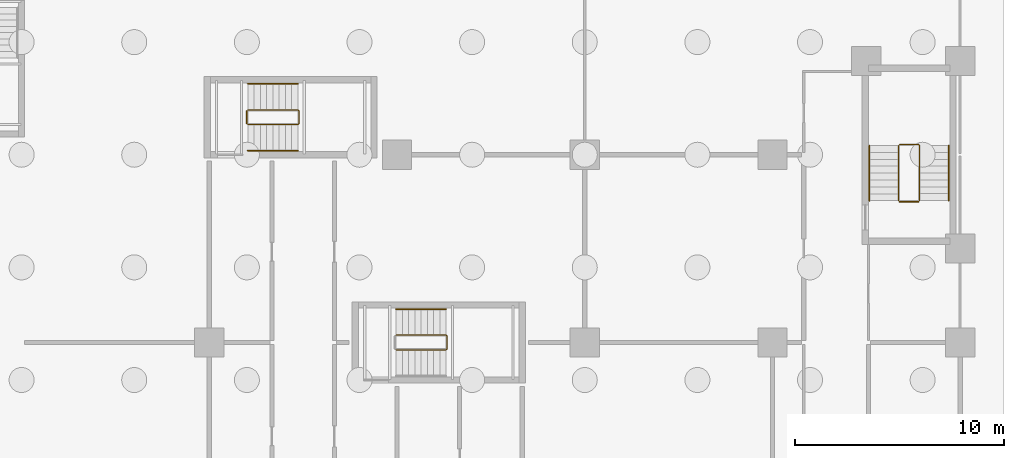
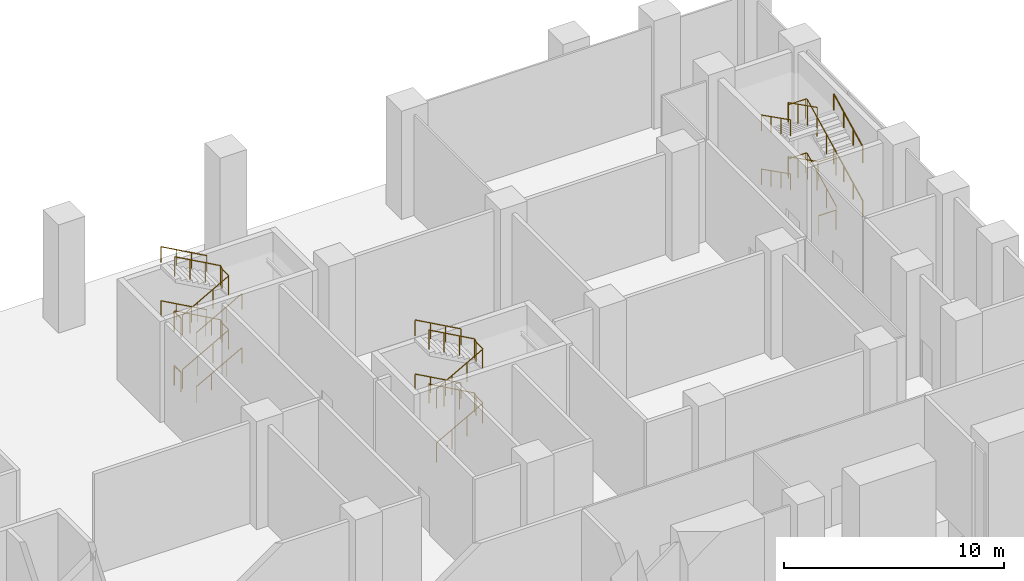
# One storey, part 12 of 12: 20 railings.
"""IFC4 building model written with IfcOpenShell, lengths in metres."""

import ifcopenshell
import ifcopenshell.guid

model = None  # the IFC model being written
_history = None  # IfcOwnerHistory: only IFC2X3 demands one
_inside = {}  # id of a spatial element -> (the spatial element, [elements in it])
_under = {}  # id of a project, library or spatial element -> (it, [spatial elements below it])
_declared = {}  # id of a project -> (the project, [libraries it declares])
_typed = {}  # id of a type object -> (the type object, [elements of that type])
_made_of = {}  # id of a material, layer set ... -> (it, [elements and type objects made of it])


def new_model(schema):
    """Start an empty IFC model of exactly this schema.

    Asked for "IFC4X3", IfcOpenShell would pick the latest addendum, in which some entities
    have other attributes; the version numbers below select the first issue.
    IFC2X3 requires an IfcOwnerHistory on every rooted entity: one is made here for all.
    """
    global model, _history
    if schema == "IFC4X3":
        model = ifcopenshell.file(schema_version=(4, 3, 0, 0))
    else:
        model = ifcopenshell.file(schema=schema)
    _inside.clear()
    _under.clear()
    _declared.clear()
    _typed.clear()
    _made_of.clear()
    _history = None
    if model.schema == "IFC2X3":
        org = make("IfcOrganization", Name="unknown")
        user = make(
            "IfcPersonAndOrganization",
            ThePerson=make("IfcPerson", FamilyName="unknown"),
            TheOrganization=org,
        )
        app = make(
            "IfcApplication",
            ApplicationDeveloper=org,
            Version="unknown",
            ApplicationFullName="unknown",
            ApplicationIdentifier="unknown",
        )
        _history = make(
            "IfcOwnerHistory",
            OwningUser=user,
            OwningApplication=app,
            ChangeAction="ADDED",
            CreationDate=0,
        )
    return model


def make(cls, **values):
    """One entity of the class cls with the attributes given. An attribute that is None is left unset."""
    return model.create_entity(
        cls, **{name: value for name, value in values.items() if value is not None}
    )


def rooted(cls, **values):
    """An entity with a GlobalId (a new one), such as an element, a storey or a relation."""
    return make(cls, GlobalId=ifcopenshell.guid.new(), OwnerHistory=_history, **values)


def si_unit(unit_type, name, prefix=None):
    """IfcSIUnit, for example si_unit("LENGTHUNIT", "METRE", prefix="MILLI")."""
    return make("IfcSIUnit", UnitType=unit_type, Prefix=prefix, Name=name)


def assignment(units):
    """IfcUnitAssignment: the units of a project."""
    return None if units is None else make("IfcUnitAssignment", Units=units)


def point(xyz):
    """IfcCartesianPoint."""
    return None if xyz is None else make("IfcCartesianPoint", Coordinates=xyz)


def direction(xyz):
    """IfcDirection."""
    return None if xyz is None else make("IfcDirection", DirectionRatios=xyz)


def frame(location, z_axis=None, x_axis=None):
    """IfcAxis2Placement3D, a coordinate frame: its origin and axes. An axis left out is left unset."""
    return make(
        "IfcAxis2Placement3D",
        Location=point(location),
        Axis=direction(z_axis),
        RefDirection=direction(x_axis),
    )


def frame_2d(location, x_axis=None):
    """IfcAxis2Placement2D, a coordinate frame in the plane: its origin and x axis."""
    return make(
        "IfcAxis2Placement2D", Location=point(location), RefDirection=direction(x_axis)
    )


def origin():
    """The frame at (0, 0, 0) with its axes left unset."""
    return frame((0.0, 0.0, 0.0))


def origin_2d():
    """The frame at (0, 0) in the plane with its x axis left unset."""
    return frame_2d((0.0, 0.0))


def place(relative_to, where):
    """IfcLocalPlacement: puts the frame where relative to a parent placement (None: the world)."""
    return make(
        "IfcLocalPlacement", PlacementRelTo=relative_to, RelativePlacement=where
    )


def context(
    kind, dimensions, precision=None, world=None, true_north=None, identifier=None
):
    """IfcGeometricRepresentationContext, for example the 3D "Model" context."""
    return make(
        "IfcGeometricRepresentationContext",
        ContextIdentifier=identifier,
        ContextType=kind,
        CoordinateSpaceDimension=dimensions,
        Precision=precision,
        WorldCoordinateSystem=world,
        TrueNorth=true_north,
    )


def subcontext(parent, identifier, kind, view, scale=None):
    """IfcGeometricRepresentationSubContext, for example "Body" below "Model"."""
    return make(
        "IfcGeometricRepresentationSubContext",
        ContextIdentifier=identifier,
        ContextType=kind,
        ParentContext=parent,
        TargetScale=scale,
        TargetView=view,
    )


def project(units=None, contexts=None):
    """IfcProject with its units and contexts."""
    return rooted(
        "IfcProject",
        Name="project",
        RepresentationContexts=contexts,
        UnitsInContext=assignment(units),
    )


def spatial(cls, under=None, at=None, **own):
    """A site, building, storey or space (cls), placed at a placement, below another one or the project."""
    s = rooted(cls, ObjectPlacement=at, **own)
    if under is not None:
        _under.setdefault(under.id(), (under, []))[1].append(s)
    return s


def profile(cls, at=None, kind="AREA", **sizes):
    """A parametric profile (cls). Its sizes go by their IFC names, for example OverallWidth=200.0."""
    return make(cls, ProfileType=kind, Position=at, **sizes)


def circle(**sizes):
    """IfcCircleProfileDef."""
    return profile("IfcCircleProfileDef", **sizes)


def extrude(swept, where, along, depth):
    """IfcExtrudedAreaSolid: the profile swept, set in the frame where, extruded along a direction by depth."""
    return make(
        "IfcExtrudedAreaSolid",
        SweptArea=swept,
        Position=where,
        ExtrudedDirection=direction(along),
        Depth=depth,
    )


def shape(context_of_items, identifier, shape_type, items):
    """IfcShapeRepresentation: the items that make up one representation, for example the "Body"."""
    return make(
        "IfcShapeRepresentation",
        ContextOfItems=context_of_items,
        RepresentationIdentifier=identifier,
        RepresentationType=shape_type,
        Items=items,
    )


def material(Name=None, Category=None):
    """IfcMaterial."""
    return make("IfcMaterial", Name=Name, Category=Category)


def made_of(thing, what):
    """Note that an element or type object is made of a material, layer set ...; save() writes the relation."""
    if what is not None:
        _made_of.setdefault(what.id(), (what, []))[1].append(thing)
    return thing


def type_object(cls, material=None, **own):
    """A type object (cls), such as IfcWallType, which elements share."""
    return made_of(rooted(cls, **own), material)


def element(
    cls,
    number,
    at=None,
    inside=None,
    cuts=None,
    type_object=None,
    material=None,
    context=None,
    identifier="Body",
    shape_type=None,
    held_by="IfcProductDefinitionShape",
    body=None,
    shapes=None,
    **own,
):
    """One element of the class cls, such as IfcWall. Its Tag is "e" and its number.

    at: its placement. inside: the storey or other place that contains it. cuts: it is an
    opening in that element (IfcRelVoidsElement). A single representation is given by context,
    identifier, shape_type and body (its items); several are given by shapes. held_by: the class
    of the entity that holds the representations. save() writes the other relations.
    """
    e = rooted(cls, Tag="e%d" % number, ObjectPlacement=at, **own)
    if body is not None:
        shapes = [shape(context, identifier, shape_type, body)]
    if shapes is not None:
        e.Representation = make(held_by, Representations=shapes)
    if inside is not None:
        _inside.setdefault(inside.id(), (inside, []))[1].append(e)
    if cuts is not None:
        rooted(
            "IfcRelVoidsElement", RelatingBuildingElement=cuts, RelatedOpeningElement=e
        )
    if type_object is not None:
        _typed.setdefault(type_object.id(), (type_object, []))[1].append(e)
    return made_of(e, material)


def aggregate(whole, parts):
    """IfcRelAggregates: a whole, such as a stair, and the parts it consists of."""
    return rooted("IfcRelAggregates", RelatingObject=whole, RelatedObjects=parts)


def save(model, path):
    """Write the relations noted so far, then the file.

    IfcRelAggregates (storeys below a building ...), IfcRelContainedInSpatialStructure (elements
    in a storey), IfcRelDefinesByType, IfcRelAssociatesMaterial and IfcRelDeclares: one each for
    every whole, place, type object, material and project.
    """
    for whole, parts in _under.values():
        aggregate(whole, parts)
    for where, things in _inside.values():
        rooted(
            "IfcRelContainedInSpatialStructure",
            RelatedElements=things,
            RelatingStructure=where,
        )
    for kind, things in _typed.values():
        rooted("IfcRelDefinesByType", RelatedObjects=things, RelatingType=kind)
    for what, things in _made_of.values():
        rooted("IfcRelAssociatesMaterial", RelatedObjects=things, RelatingMaterial=what)
    for by, libraries in _declared.values():
        rooted("IfcRelDeclares", RelatingContext=by, RelatedDefinitions=libraries)
    model.write(path)


model = new_model("IFC4")

# Units and contexts
model_context = context("Model", 3, precision=1e-05, world=origin(), true_north=direction((0.0, 1.0)))
body_context = subcontext(model_context, "Body", "Model", "MODEL_VIEW")
ifc_project = project(units=[si_unit("LENGTHUNIT", "METRE"), si_unit("AREAUNIT", "SQUARE_METRE"), si_unit("VOLUMEUNIT", "CUBIC_METRE"), si_unit("PLANEANGLEUNIT", "RADIAN"), si_unit("MASSUNIT", "GRAM", prefix="KILO")], contexts=[model_context])

# Site, building, storey
site_placement = place(None, origin())
site = spatial("IfcSite", under=ifc_project, at=site_placement, CompositionType="ELEMENT")
building_placement = place(site_placement, origin())
building = spatial("IfcBuilding", under=site, at=building_placement, Name="Brondeck Convention Tower", CompositionType="ELEMENT")
storey_placement = place(building_placement, frame((0.0, 0.0, -6.0)))
storey = spatial("IfcBuildingStorey", under=building, at=storey_placement, Name="B1", CompositionType="ELEMENT", Elevation=-6.0)

# Railings
ifc_material = material(Name="Steel S355", Category="steel")
railing_type_1 = type_object("IfcRailingType", Name="Stair guard 1100", PredefinedType="GUARDRAIL", material=ifc_material)
railing_1_placement = place(storey_placement, frame((37.85009765625, 55.449951171875, 0.166748046875)))
element("IfcRailing", 1, at=railing_1_placement, inside=storey, type_object=railing_type_1, Name="B1 ST-AE stair guard 1", PredefinedType="GUARDRAIL", context=body_context, shape_type="SweptSolid", body=[
    extrude(circle(Radius=0.02392578125, at=origin_2d()), frame((0.0, 0.0, 1.076171875), z_axis=(0.874161470802, 0.0, 0.485635380677), x_axis=(0.0, 1.0, 0.0)), (0.0, 0.0, 1.0), 2.745361328125),
    extrude(circle(Radius=0.02392578125, at=origin_2d()), frame((2.39990234375, 0.0, 2.4091796875), z_axis=(0.707106781187, 0.707106781187, 0.0), x_axis=(-0.707106781187, 0.707106781187, 0.0)), (0.0, 0.0, 1.0), 0.07080078125),
    extrude(circle(Radius=0.02392578125, at=origin_2d()), frame((2.449951171875, 0.050048828125, 2.4091796875), z_axis=(0.0, 1.0, 0.0), x_axis=(-1.0, 0.0, 0.0)), (0.0, 0.0, 1.0), 0.60009765625),
    extrude(circle(Radius=0.02392578125, at=origin_2d()), frame((2.449951171875, 0.650146484375, 2.4091796875), z_axis=(-0.276389281352, 0.275041040955, 0.920848191041), x_axis=(-0.705375805398, -0.708833529934, 0.0)), (0.0, 0.0, 1.0), 0.18115234375),
    extrude(circle(Radius=0.02392578125, at=origin_2d()), frame((2.39990234375, 0.699951171875, 2.576171875), z_axis=(-0.874161470802, 0.0, 0.485635380677), x_axis=(0.0, -1.0, 0.0)), (0.0, 0.0, 1.0), 2.745361328125),
    extrude(circle(Radius=0.02099609375, at=origin_2d()), origin(), (0.0, 0.0, 1.0), 1.052001953125),
    extrude(circle(Radius=0.02099609375, at=origin_2d()), frame((0.800048828125, 0.0, 0.4443359375)), (0.0, 0.0, 1.0), 1.052001953125),
    extrude(circle(Radius=0.02099609375, at=origin_2d()), frame((1.599853515625, 0.0, 0.888916015625)), (0.0, 0.0, 1.0), 1.052001953125),
    extrude(circle(Radius=0.02099609375, at=origin_2d()), frame((2.39990234375, 0.0, 1.333251953125)), (0.0, 0.0, 1.0), 1.052001953125),
    extrude(circle(Radius=0.02099609375, at=origin_2d()), frame((2.449951171875, 0.050048828125, 1.333251953125)), (0.0, 0.0, 1.0), 1.052001953125),
    extrude(circle(Radius=0.02099609375, at=origin_2d()), frame((2.449951171875, 0.650146484375, 1.333251953125)), (0.0, 0.0, 1.0), 1.052001953125),
    extrude(circle(Radius=0.02099609375, at=origin_2d()), frame((2.39990234375, 0.699951171875, 1.5)), (0.0, 0.0, 1.0), 1.052001953125),
    extrude(circle(Radius=0.02099609375, at=origin_2d()), frame((1.599853515625, 0.699951171875, 1.9443359375)), (0.0, 0.0, 1.0), 1.052001953125),
    extrude(circle(Radius=0.02099609375, at=origin_2d()), frame((0.800048828125, 0.699951171875, 2.388916015625)), (0.0, 0.0, 1.0), 1.052001953125),
    extrude(circle(Radius=0.02099609375, at=origin_2d()), frame((0.0, 0.699951171875, 2.833251953125)), (0.0, 0.0, 1.0), 1.052001953125),
])
railing_2_placement = place(storey_placement, frame((37.800048828125, 55.5, 3.0)))
element("IfcRailing", 2, at=railing_2_placement, inside=storey, type_object=railing_type_1, Name="B1 ST-AE stair guard 2", PredefinedType="GUARDRAIL", context=body_context, shape_type="SweptSolid", body=[
    extrude(circle(Radius=0.02392578125, at=origin_2d()), frame((0.0, 0.0, 1.076171875), z_axis=(0.0, 1.0, 0.0), x_axis=(-1.0, 0.0, 0.0)), (0.0, 0.0, 1.0), 0.60009765625),
    extrude(circle(Radius=0.02099609375, at=origin_2d()), origin(), (0.0, 0.0, 1.0), 1.052001953125),
    extrude(circle(Radius=0.02099609375, at=origin_2d()), frame((0.0, 0.60009765625, 0.0)), (0.0, 0.0, 1.0), 1.052001953125),
])
railing_3_placement = place(storey_placement, frame((37.85009765625, 55.449951171875, 3.166748046875)))
element("IfcRailing", 3, at=railing_3_placement, inside=storey, type_object=railing_type_1, Name="B1 ST-AE stair guard 3", PredefinedType="GUARDRAIL", context=body_context, shape_type="SweptSolid", body=[
    extrude(circle(Radius=0.02392578125, at=origin_2d()), frame((0.0, 0.0, 1.076171875), z_axis=(0.874161470802, 0.0, 0.485635380677), x_axis=(0.0, 1.0, 0.0)), (0.0, 0.0, 1.0), 2.745361328125),
    extrude(circle(Radius=0.02392578125, at=origin_2d()), frame((2.39990234375, 0.0, 2.4091796875), z_axis=(0.707106781187, 0.707106781187, 0.0), x_axis=(-0.707106781187, 0.707106781187, 0.0)), (0.0, 0.0, 1.0), 0.07080078125),
    extrude(circle(Radius=0.02392578125, at=origin_2d()), frame((2.449951171875, 0.050048828125, 2.4091796875), z_axis=(0.0, 1.0, 0.0), x_axis=(-1.0, 0.0, 0.0)), (0.0, 0.0, 1.0), 0.60009765625),
    extrude(circle(Radius=0.02392578125, at=origin_2d()), frame((2.449951171875, 0.650146484375, 2.4091796875), z_axis=(-0.276389281352, 0.275041040955, 0.920848191041), x_axis=(-0.705375805398, -0.708833529934, 0.0)), (0.0, 0.0, 1.0), 0.18115234375),
    extrude(circle(Radius=0.02392578125, at=origin_2d()), frame((2.39990234375, 0.699951171875, 2.576171875), z_axis=(-0.874161470802, 0.0, 0.485635380677), x_axis=(0.0, -1.0, 0.0)), (0.0, 0.0, 1.0), 2.745361328125),
    extrude(circle(Radius=0.02099609375, at=origin_2d()), origin(), (0.0, 0.0, 1.0), 1.052001953125),
    extrude(circle(Radius=0.02099609375, at=origin_2d()), frame((0.800048828125, 0.0, 0.4443359375)), (0.0, 0.0, 1.0), 1.052001953125),
    extrude(circle(Radius=0.02099609375, at=origin_2d()), frame((1.599853515625, 0.0, 0.888916015625)), (0.0, 0.0, 1.0), 1.052001953125),
    extrude(circle(Radius=0.02099609375, at=origin_2d()), frame((2.39990234375, 0.0, 1.333251953125)), (0.0, 0.0, 1.0), 1.052001953125),
    extrude(circle(Radius=0.02099609375, at=origin_2d()), frame((2.449951171875, 0.050048828125, 1.333251953125)), (0.0, 0.0, 1.0), 1.052001953125),
    extrude(circle(Radius=0.02099609375, at=origin_2d()), frame((2.449951171875, 0.650146484375, 1.333251953125)), (0.0, 0.0, 1.0), 1.052001953125),
    extrude(circle(Radius=0.02099609375, at=origin_2d()), frame((2.39990234375, 0.699951171875, 1.5)), (0.0, 0.0, 1.0), 1.052001953125),
    extrude(circle(Radius=0.02099609375, at=origin_2d()), frame((1.599853515625, 0.699951171875, 1.9443359375)), (0.0, 0.0, 1.0), 1.052001953125),
    extrude(circle(Radius=0.02099609375, at=origin_2d()), frame((0.800048828125, 0.699951171875, 2.388916015625)), (0.0, 0.0, 1.0), 1.052001953125),
    extrude(circle(Radius=0.02099609375, at=origin_2d()), frame((0.0, 0.699951171875, 2.833251953125)), (0.0, 0.0, 1.0), 1.052001953125),
])
railing_4_placement = place(storey_placement, frame((37.800048828125, 55.5, 0.0)))
element("IfcRailing", 4, at=railing_4_placement, inside=storey, type_object=railing_type_1, Name="B1 ST-AE stair guard 4", PredefinedType="GUARDRAIL", context=body_context, shape_type="SweptSolid", body=[
    extrude(circle(Radius=0.02392578125, at=origin_2d()), frame((0.0, 0.0, 1.076171875), z_axis=(0.0, 1.0, 0.0), x_axis=(-1.0, 0.0, 0.0)), (0.0, 0.0, 1.0), 0.60009765625),
    extrude(circle(Radius=0.02099609375, at=origin_2d()), origin(), (0.0, 0.0, 1.0), 1.052001953125),
    extrude(circle(Radius=0.02099609375, at=origin_2d()), frame((0.0, 0.60009765625, 0.0)), (0.0, 0.0, 1.0), 1.052001953125),
])
railing_5_placement = place(storey_placement, frame((44.949951171875, 44.64990234375, 0.166748046875)))
element("IfcRailing", 5, at=railing_5_placement, inside=storey, type_object=railing_type_1, Name="B1 ST-AF stair guard 1", PredefinedType="GUARDRAIL", context=body_context, shape_type="SweptSolid", body=[
    extrude(circle(Radius=0.02392578125, at=origin_2d()), frame((0.0, 0.0, 1.076171875), z_axis=(0.874182441271, 0.0, 0.485597631145), x_axis=(0.0, 1.0, 0.0)), (0.0, 0.0, 1.0), 2.74560546875),
    extrude(circle(Radius=0.02392578125, at=origin_2d()), frame((2.400146484375, 0.0, 2.4091796875), z_axis=(0.705375805398, 0.708833529934, 0.0), x_axis=(-0.708833529934, 0.705375805398, 0.0)), (0.0, 0.0, 1.0), 0.070556640625),
    extrude(circle(Radius=0.02392578125, at=origin_2d()), frame((2.449951171875, 0.050048828125, 2.4091796875), z_axis=(0.0, 1.0, 0.0), x_axis=(-1.0, 0.0, 0.0)), (0.0, 0.0, 1.0), 0.60009765625),
    extrude(circle(Radius=0.02392578125, at=origin_2d()), frame((2.449951171875, 0.650146484375, 2.4091796875), z_axis=(-0.275041040955, 0.276389281352, 0.920848191041), x_axis=(-0.708833529934, -0.705375805398, 0.0)), (0.0, 0.0, 1.0), 0.18115234375),
    extrude(circle(Radius=0.02392578125, at=origin_2d()), frame((2.400146484375, 0.7001953125, 2.576171875), z_axis=(-0.874182441271, 0.0, 0.485597631145), x_axis=(0.0, -1.0, 0.0)), (0.0, 0.0, 1.0), 2.74560546875),
    extrude(circle(Radius=0.02099609375, at=origin_2d()), origin(), (0.0, 0.0, 1.0), 1.052001953125),
    extrude(circle(Radius=0.02099609375, at=origin_2d()), frame((0.800048828125, 0.0, 0.4443359375)), (0.0, 0.0, 1.0), 1.052001953125),
    extrude(circle(Radius=0.02099609375, at=origin_2d()), frame((1.60009765625, 0.0, 0.888916015625)), (0.0, 0.0, 1.0), 1.052001953125),
    extrude(circle(Radius=0.02099609375, at=origin_2d()), frame((2.400146484375, 0.0, 1.333251953125)), (0.0, 0.0, 1.0), 1.052001953125),
    extrude(circle(Radius=0.02099609375, at=origin_2d()), frame((2.449951171875, 0.050048828125, 1.333251953125)), (0.0, 0.0, 1.0), 1.052001953125),
    extrude(circle(Radius=0.02099609375, at=origin_2d()), frame((2.449951171875, 0.650146484375, 1.333251953125)), (0.0, 0.0, 1.0), 1.052001953125),
    extrude(circle(Radius=0.02099609375, at=origin_2d()), frame((2.400146484375, 0.7001953125, 1.5)), (0.0, 0.0, 1.0), 1.052001953125),
    extrude(circle(Radius=0.02099609375, at=origin_2d()), frame((1.60009765625, 0.7001953125, 1.9443359375)), (0.0, 0.0, 1.0), 1.052001953125),
    extrude(circle(Radius=0.02099609375, at=origin_2d()), frame((0.800048828125, 0.7001953125, 2.388916015625)), (0.0, 0.0, 1.0), 1.052001953125),
    extrude(circle(Radius=0.02099609375, at=origin_2d()), frame((0.0, 0.7001953125, 2.833251953125)), (0.0, 0.0, 1.0), 1.052001953125),
])
railing_6_placement = place(storey_placement, frame((44.949951171875, 44.64990234375, 3.166748046875)))
element("IfcRailing", 6, at=railing_6_placement, inside=storey, type_object=railing_type_1, Name="B1 ST-AF stair guard 3", PredefinedType="GUARDRAIL", context=body_context, shape_type="SweptSolid", body=[
    extrude(circle(Radius=0.02392578125, at=origin_2d()), frame((0.0, 0.0, 1.076171875), z_axis=(0.874182441271, 0.0, 0.485597631145), x_axis=(0.0, 1.0, 0.0)), (0.0, 0.0, 1.0), 2.74560546875),
    extrude(circle(Radius=0.02392578125, at=origin_2d()), frame((2.400146484375, 0.0, 2.4091796875), z_axis=(0.705375805398, 0.708833529934, 0.0), x_axis=(-0.708833529934, 0.705375805398, 0.0)), (0.0, 0.0, 1.0), 0.070556640625),
    extrude(circle(Radius=0.02392578125, at=origin_2d()), frame((2.449951171875, 0.050048828125, 2.4091796875), z_axis=(0.0, 1.0, 0.0), x_axis=(-1.0, 0.0, 0.0)), (0.0, 0.0, 1.0), 0.60009765625),
    extrude(circle(Radius=0.02392578125, at=origin_2d()), frame((2.449951171875, 0.650146484375, 2.4091796875), z_axis=(-0.275041040955, 0.276389281352, 0.920848191041), x_axis=(-0.708833529934, -0.705375805398, 0.0)), (0.0, 0.0, 1.0), 0.18115234375),
    extrude(circle(Radius=0.02392578125, at=origin_2d()), frame((2.400146484375, 0.7001953125, 2.576171875), z_axis=(-0.874182441271, 0.0, 0.485597631145), x_axis=(0.0, -1.0, 0.0)), (0.0, 0.0, 1.0), 2.74560546875),
    extrude(circle(Radius=0.02099609375, at=origin_2d()), origin(), (0.0, 0.0, 1.0), 1.052001953125),
    extrude(circle(Radius=0.02099609375, at=origin_2d()), frame((0.800048828125, 0.0, 0.4443359375)), (0.0, 0.0, 1.0), 1.052001953125),
    extrude(circle(Radius=0.02099609375, at=origin_2d()), frame((1.60009765625, 0.0, 0.888916015625)), (0.0, 0.0, 1.0), 1.052001953125),
    extrude(circle(Radius=0.02099609375, at=origin_2d()), frame((2.400146484375, 0.0, 1.333251953125)), (0.0, 0.0, 1.0), 1.052001953125),
    extrude(circle(Radius=0.02099609375, at=origin_2d()), frame((2.449951171875, 0.050048828125, 1.333251953125)), (0.0, 0.0, 1.0), 1.052001953125),
    extrude(circle(Radius=0.02099609375, at=origin_2d()), frame((2.449951171875, 0.650146484375, 1.333251953125)), (0.0, 0.0, 1.0), 1.052001953125),
    extrude(circle(Radius=0.02099609375, at=origin_2d()), frame((2.400146484375, 0.7001953125, 1.5)), (0.0, 0.0, 1.0), 1.052001953125),
    extrude(circle(Radius=0.02099609375, at=origin_2d()), frame((1.60009765625, 0.7001953125, 1.9443359375)), (0.0, 0.0, 1.0), 1.052001953125),
    extrude(circle(Radius=0.02099609375, at=origin_2d()), frame((0.800048828125, 0.7001953125, 2.388916015625)), (0.0, 0.0, 1.0), 1.052001953125),
    extrude(circle(Radius=0.02099609375, at=origin_2d()), frame((0.0, 0.7001953125, 2.833251953125)), (0.0, 0.0, 1.0), 1.052001953125),
])
railing_7_placement = place(storey_placement, frame((70.050048828125, 51.800048828125, 0.166748046875)))
element("IfcRailing", 7, at=railing_7_placement, inside=storey, type_object=railing_type_1, Name="B1 PS-1 stair guard 1", PredefinedType="GUARDRAIL", context=body_context, shape_type="SweptSolid", body=[
    extrude(circle(Radius=0.02392578125, at=origin_2d()), frame((0.0, 0.0, 1.076171875), z_axis=(0.0, 0.892620344788, 0.450809183658), x_axis=(-1.0, 0.0, 0.0)), (0.0, 0.0, 1.0), 2.95751953125),
    extrude(circle(Radius=0.02392578125, at=origin_2d()), frame((0.0, 2.639892578125, 2.4091796875), z_axis=(-0.707106781187, 0.707106781187, 0.0), x_axis=(-0.707106781187, -0.707106781187, 0.0)), (0.0, 0.0, 1.0), 0.07080078125),
    extrude(circle(Radius=0.02392578125, at=origin_2d()), frame((-0.050048828125, 2.68994140625, 2.4091796875), z_axis=(-1.0, 0.0, 0.0), x_axis=(0.0, -1.0, 0.0)), (0.0, 0.0, 1.0), 0.89990234375),
    extrude(circle(Radius=0.02392578125, at=origin_2d()), frame((-0.949951171875, 2.68994140625, 2.4091796875), z_axis=(-0.27628659633, -0.27628659633, 0.920506074601), x_axis=(0.707106781187, -0.707106781187, 0.0)), (0.0, 0.0, 1.0), 0.18115234375),
    extrude(circle(Radius=0.02392578125, at=origin_2d()), frame((-1.0, 2.639892578125, 2.576171875), z_axis=(0.0, -0.892620344788, 0.450809183658), x_axis=(1.0, 0.0, 0.0)), (0.0, 0.0, 1.0), 2.95751953125),
    extrude(circle(Radius=0.02099609375, at=origin_2d()), origin(), (0.0, 0.0, 1.0), 1.052001953125),
    extrude(circle(Radius=0.02099609375, at=origin_2d()), frame((0.0, 0.8798828125, 0.4443359375)), (0.0, 0.0, 1.0), 1.052001953125),
    extrude(circle(Radius=0.02099609375, at=origin_2d()), frame((0.0, 1.760009765625, 0.888916015625)), (0.0, 0.0, 1.0), 1.052001953125),
    extrude(circle(Radius=0.02099609375, at=origin_2d()), frame((0.0, 2.639892578125, 1.333251953125)), (0.0, 0.0, 1.0), 1.052001953125),
    extrude(circle(Radius=0.02099609375, at=origin_2d()), frame((-0.050048828125, 2.68994140625, 1.333251953125)), (0.0, 0.0, 1.0), 1.052001953125),
    extrude(circle(Radius=0.02099609375, at=origin_2d()), frame((-0.949951171875, 2.68994140625, 1.333251953125)), (0.0, 0.0, 1.0), 1.052001953125),
    extrude(circle(Radius=0.02099609375, at=origin_2d()), frame((-1.0, 2.639892578125, 1.5)), (0.0, 0.0, 1.0), 1.052001953125),
    extrude(circle(Radius=0.02099609375, at=origin_2d()), frame((-1.0, 1.760009765625, 1.9443359375)), (0.0, 0.0, 1.0), 1.052001953125),
    extrude(circle(Radius=0.02099609375, at=origin_2d()), frame((-1.0, 0.8798828125, 2.388916015625)), (0.0, 0.0, 1.0), 1.052001953125),
    extrude(circle(Radius=0.02099609375, at=origin_2d()), frame((-1.0, 0.0, 2.833251953125)), (0.0, 0.0, 1.0), 1.052001953125),
])
railing_8_placement = place(storey_placement, frame((70.0, 51.75, 3.0)))
element("IfcRailing", 8, at=railing_8_placement, inside=storey, type_object=railing_type_1, Name="B1 PS-1 stair guard 2", PredefinedType="GUARDRAIL", context=body_context, shape_type="SweptSolid", body=[
    extrude(circle(Radius=0.02392578125, at=origin_2d()), frame((0.0, 0.0, 1.076171875), z_axis=(-1.0, 0.0, 0.0), x_axis=(0.0, -1.0, 0.0)), (0.0, 0.0, 1.0), 0.89990234375),
    extrude(circle(Radius=0.02099609375, at=origin_2d()), origin(), (0.0, 0.0, 1.0), 1.052001953125),
    extrude(circle(Radius=0.02099609375, at=origin_2d()), frame((-0.89990234375, 0.0, 0.0)), (0.0, 0.0, 1.0), 1.052001953125),
])
railing_9_placement = place(storey_placement, frame((70.050048828125, 51.800048828125, 3.166748046875)))
element("IfcRailing", 9, at=railing_9_placement, inside=storey, type_object=railing_type_1, Name="B1 PS-1 stair guard 3", PredefinedType="GUARDRAIL", context=body_context, shape_type="SweptSolid", body=[
    extrude(circle(Radius=0.02392578125, at=origin_2d()), frame((0.0, 0.0, 1.076171875), z_axis=(0.0, 0.892620344788, 0.450809183658), x_axis=(-1.0, 0.0, 0.0)), (0.0, 0.0, 1.0), 2.95751953125),
    extrude(circle(Radius=0.02392578125, at=origin_2d()), frame((0.0, 2.639892578125, 2.4091796875), z_axis=(-0.707106781187, 0.707106781187, 0.0), x_axis=(-0.707106781187, -0.707106781187, 0.0)), (0.0, 0.0, 1.0), 0.07080078125),
    extrude(circle(Radius=0.02392578125, at=origin_2d()), frame((-0.050048828125, 2.68994140625, 2.4091796875), z_axis=(-1.0, 0.0, 0.0), x_axis=(0.0, -1.0, 0.0)), (0.0, 0.0, 1.0), 0.89990234375),
    extrude(circle(Radius=0.02392578125, at=origin_2d()), frame((-0.949951171875, 2.68994140625, 2.4091796875), z_axis=(-0.27628659633, -0.27628659633, 0.920506074601), x_axis=(0.707106781187, -0.707106781187, 0.0)), (0.0, 0.0, 1.0), 0.18115234375),
    extrude(circle(Radius=0.02392578125, at=origin_2d()), frame((-1.0, 2.639892578125, 2.576171875), z_axis=(0.0, -0.892620344788, 0.450809183658), x_axis=(1.0, 0.0, 0.0)), (0.0, 0.0, 1.0), 2.95751953125),
    extrude(circle(Radius=0.02099609375, at=origin_2d()), origin(), (0.0, 0.0, 1.0), 1.052001953125),
    extrude(circle(Radius=0.02099609375, at=origin_2d()), frame((0.0, 0.8798828125, 0.4443359375)), (0.0, 0.0, 1.0), 1.052001953125),
    extrude(circle(Radius=0.02099609375, at=origin_2d()), frame((0.0, 1.760009765625, 0.888916015625)), (0.0, 0.0, 1.0), 1.052001953125),
    extrude(circle(Radius=0.02099609375, at=origin_2d()), frame((0.0, 2.639892578125, 1.333251953125)), (0.0, 0.0, 1.0), 1.052001953125),
    extrude(circle(Radius=0.02099609375, at=origin_2d()), frame((-0.050048828125, 2.68994140625, 1.333251953125)), (0.0, 0.0, 1.0), 1.052001953125),
    extrude(circle(Radius=0.02099609375, at=origin_2d()), frame((-0.949951171875, 2.68994140625, 1.333251953125)), (0.0, 0.0, 1.0), 1.052001953125),
    extrude(circle(Radius=0.02099609375, at=origin_2d()), frame((-1.0, 2.639892578125, 1.5)), (0.0, 0.0, 1.0), 1.052001953125),
    extrude(circle(Radius=0.02099609375, at=origin_2d()), frame((-1.0, 1.760009765625, 1.9443359375)), (0.0, 0.0, 1.0), 1.052001953125),
    extrude(circle(Radius=0.02099609375, at=origin_2d()), frame((-1.0, 0.8798828125, 2.388916015625)), (0.0, 0.0, 1.0), 1.052001953125),
    extrude(circle(Radius=0.02099609375, at=origin_2d()), frame((-1.0, 0.0, 2.833251953125)), (0.0, 0.0, 1.0), 1.052001953125),
])
railing_10_placement = place(storey_placement, frame((70.0, 51.75, 0.0)))
element("IfcRailing", 10, at=railing_10_placement, inside=storey, type_object=railing_type_1, Name="B1 PS-1 stair guard 4", PredefinedType="GUARDRAIL", context=body_context, shape_type="SweptSolid", body=[
    extrude(circle(Radius=0.02392578125, at=origin_2d()), frame((0.0, 0.0, 1.076171875), z_axis=(-1.0, 0.0, 0.0), x_axis=(0.0, -1.0, 0.0)), (0.0, 0.0, 1.0), 0.89990234375),
    extrude(circle(Radius=0.02099609375, at=origin_2d()), origin(), (0.0, 0.0, 1.0), 1.052001953125),
    extrude(circle(Radius=0.02099609375, at=origin_2d()), frame((-0.89990234375, 0.0, 0.0)), (0.0, 0.0, 1.0), 1.052001953125),
])
railing_type_2 = type_object("IfcRailingType", Name="Stair handrail", PredefinedType="HANDRAIL", material=ifc_material)
railing_11_placement = place(storey_placement, frame((37.85009765625, 54.199951171875, 0.166748046875)))
element("IfcRailing", 11, at=railing_11_placement, inside=storey, type_object=railing_type_2, Name="B1 ST-AE stair handrail 1", PredefinedType="HANDRAIL", context=body_context, shape_type="SweptSolid", body=[
    extrude(circle(Radius=0.02392578125, at=origin_2d()), frame((0.0, 0.0, 0.8759765625), z_axis=(0.874161470802, 0.0, 0.485635380677), x_axis=(0.0, 1.0, 0.0)), (0.0, 0.0, 1.0), 2.745361328125),
    extrude(circle(Radius=0.02099609375, at=origin_2d()), origin(), (0.0, 0.0, 1.0), 0.851806640625),
    extrude(circle(Radius=0.02099609375, at=origin_2d()), frame((0.800048828125, 0.0, 0.4443359375)), (0.0, 0.0, 1.0), 0.851806640625),
    extrude(circle(Radius=0.02099609375, at=origin_2d()), frame((1.599853515625, 0.0, 0.888916015625)), (0.0, 0.0, 1.0), 0.851806640625),
    extrude(circle(Radius=0.02099609375, at=origin_2d()), frame((2.39990234375, 0.0, 1.333251953125)), (0.0, 0.0, 1.0), 0.851806640625),
])
railing_12_placement = place(storey_placement, frame((40.25, 57.39990234375, 1.666748046875)))
element("IfcRailing", 12, at=railing_12_placement, inside=storey, type_object=railing_type_2, Name="B1 ST-AE stair handrail 2", PredefinedType="HANDRAIL", context=body_context, shape_type="SweptSolid", body=[
    extrude(circle(Radius=0.02392578125, at=origin_2d()), frame((0.0, 0.0, 0.8759765625), z_axis=(-0.874161470802, 0.0, 0.485635380677), x_axis=(0.0, -1.0, 0.0)), (0.0, 0.0, 1.0), 2.745361328125),
    extrude(circle(Radius=0.02099609375, at=origin_2d()), origin(), (0.0, 0.0, 1.0), 0.851806640625),
    extrude(circle(Radius=0.02099609375, at=origin_2d()), frame((-0.800048828125, 0.0, 0.4443359375)), (0.0, 0.0, 1.0), 0.851806640625),
    extrude(circle(Radius=0.02099609375, at=origin_2d()), frame((-1.599853515625, 0.0, 0.888916015625)), (0.0, 0.0, 1.0), 0.851806640625),
    extrude(circle(Radius=0.02099609375, at=origin_2d()), frame((-2.39990234375, 0.0, 1.333251953125)), (0.0, 0.0, 1.0), 0.851806640625),
])
railing_13_placement = place(storey_placement, frame((37.85009765625, 54.199951171875, 3.166748046875)))
element("IfcRailing", 13, at=railing_13_placement, inside=storey, type_object=railing_type_2, Name="B1 ST-AE stair handrail 3", PredefinedType="HANDRAIL", context=body_context, shape_type="SweptSolid", body=[
    extrude(circle(Radius=0.02392578125, at=origin_2d()), frame((0.0, 0.0, 0.8759765625), z_axis=(0.874161470802, 0.0, 0.485635380677), x_axis=(0.0, 1.0, 0.0)), (0.0, 0.0, 1.0), 2.745361328125),
    extrude(circle(Radius=0.02099609375, at=origin_2d()), origin(), (0.0, 0.0, 1.0), 0.851806640625),
    extrude(circle(Radius=0.02099609375, at=origin_2d()), frame((0.800048828125, 0.0, 0.4443359375)), (0.0, 0.0, 1.0), 0.851806640625),
    extrude(circle(Radius=0.02099609375, at=origin_2d()), frame((1.599853515625, 0.0, 0.888916015625)), (0.0, 0.0, 1.0), 0.851806640625),
    extrude(circle(Radius=0.02099609375, at=origin_2d()), frame((2.39990234375, 0.0, 1.333251953125)), (0.0, 0.0, 1.0), 0.851806640625),
])
railing_14_placement = place(storey_placement, frame((40.25, 57.39990234375, 4.666748046875)))
element("IfcRailing", 14, at=railing_14_placement, inside=storey, type_object=railing_type_2, Name="B1 ST-AE stair handrail 4", PredefinedType="HANDRAIL", context=body_context, shape_type="SweptSolid", body=[
    extrude(circle(Radius=0.02392578125, at=origin_2d()), frame((0.0, 0.0, 0.8759765625), z_axis=(-0.874161470802, 0.0, 0.485635380677), x_axis=(0.0, -1.0, 0.0)), (0.0, 0.0, 1.0), 2.745361328125),
    extrude(circle(Radius=0.02099609375, at=origin_2d()), origin(), (0.0, 0.0, 1.0), 0.851806640625),
    extrude(circle(Radius=0.02099609375, at=origin_2d()), frame((-0.800048828125, 0.0, 0.4443359375)), (0.0, 0.0, 1.0), 0.851806640625),
    extrude(circle(Radius=0.02099609375, at=origin_2d()), frame((-1.599853515625, 0.0, 0.888916015625)), (0.0, 0.0, 1.0), 0.851806640625),
    extrude(circle(Radius=0.02099609375, at=origin_2d()), frame((-2.39990234375, 0.0, 1.333251953125)), (0.0, 0.0, 1.0), 0.851806640625),
])
for number, where, name in (
    (15, (47.35009765625, 46.60009765625, 1.666748046875), "B1 ST-AF stair handrail 2"),
    (16, (47.35009765625, 46.60009765625, 4.666748046875), "B1 ST-AF stair handrail 4"),
):
    element("IfcRailing", number, at=place(storey_placement, frame(where)), inside=storey, type_object=railing_type_2, Name=name, PredefinedType="HANDRAIL", context=body_context, shape_type="SweptSolid", body=[
        extrude(circle(Radius=0.02392578125, at=origin_2d()), frame((0.0, 0.0, 0.8759765625), z_axis=(-0.874182441271, 0.0, 0.485597631145), x_axis=(0.0, -1.0, 0.0)), (0.0, 0.0, 1.0), 2.74560546875),
        extrude(circle(Radius=0.02099609375, at=origin_2d()), origin(), (0.0, 0.0, 1.0), 0.851806640625),
        extrude(circle(Radius=0.02099609375, at=origin_2d()), frame((-0.800048828125, 0.0, 0.4443359375)), (0.0, 0.0, 1.0), 0.851806640625),
        extrude(circle(Radius=0.02099609375, at=origin_2d()), frame((-1.60009765625, 0.0, 0.888916015625)), (0.0, 0.0, 1.0), 0.851806640625),
        extrude(circle(Radius=0.02099609375, at=origin_2d()), frame((-2.400146484375, 0.0, 1.333251953125)), (0.0, 0.0, 1.0), 0.851806640625),
    ])
railing_15_placement = place(storey_placement, frame((71.449951171875, 51.800048828125, 0.166748046875)))
element("IfcRailing", 17, at=railing_15_placement, inside=storey, type_object=railing_type_2, Name="B1 PS-1 stair handrail 1", PredefinedType="HANDRAIL", context=body_context, shape_type="SweptSolid", body=[
    extrude(circle(Radius=0.02392578125, at=origin_2d()), frame((0.0, 0.0, 0.8759765625), z_axis=(0.0, 0.892620344788, 0.450809183658), x_axis=(-1.0, 0.0, 0.0)), (0.0, 0.0, 1.0), 2.95751953125),
    extrude(circle(Radius=0.02099609375, at=origin_2d()), origin(), (0.0, 0.0, 1.0), 0.851806640625),
    extrude(circle(Radius=0.02099609375, at=origin_2d()), frame((0.0, 0.8798828125, 0.4443359375)), (0.0, 0.0, 1.0), 0.851806640625),
    extrude(circle(Radius=0.02099609375, at=origin_2d()), frame((0.0, 1.760009765625, 0.888916015625)), (0.0, 0.0, 1.0), 0.851806640625),
    extrude(circle(Radius=0.02099609375, at=origin_2d()), frame((0.0, 2.639892578125, 1.333251953125)), (0.0, 0.0, 1.0), 0.851806640625),
])
railing_16_placement = place(storey_placement, frame((67.64990234375, 54.43994140625, 1.666748046875)))
element("IfcRailing", 18, at=railing_16_placement, inside=storey, type_object=railing_type_2, Name="B1 PS-1 stair handrail 2", PredefinedType="HANDRAIL", context=body_context, shape_type="SweptSolid", body=[
    extrude(circle(Radius=0.02392578125, at=origin_2d()), frame((0.0, 0.0, 0.8759765625), z_axis=(0.0, -0.892620344788, 0.450809183658), x_axis=(1.0, 0.0, 0.0)), (0.0, 0.0, 1.0), 2.95751953125),
    extrude(circle(Radius=0.02099609375, at=origin_2d()), origin(), (0.0, 0.0, 1.0), 0.851806640625),
    extrude(circle(Radius=0.02099609375, at=origin_2d()), frame((0.0, -0.8798828125, 0.4443359375)), (0.0, 0.0, 1.0), 0.851806640625),
    extrude(circle(Radius=0.02099609375, at=origin_2d()), frame((0.0, -1.760009765625, 0.888916015625)), (0.0, 0.0, 1.0), 0.851806640625),
    extrude(circle(Radius=0.02099609375, at=origin_2d()), frame((0.0, -2.639892578125, 1.333251953125)), (0.0, 0.0, 1.0), 0.851806640625),
])
railing_17_placement = place(storey_placement, frame((71.449951171875, 51.800048828125, 3.166748046875)))
element("IfcRailing", 19, at=railing_17_placement, inside=storey, type_object=railing_type_2, Name="B1 PS-1 stair handrail 3", PredefinedType="HANDRAIL", context=body_context, shape_type="SweptSolid", body=[
    extrude(circle(Radius=0.02392578125, at=origin_2d()), frame((0.0, 0.0, 0.8759765625), z_axis=(0.0, 0.892620344788, 0.450809183658), x_axis=(-1.0, 0.0, 0.0)), (0.0, 0.0, 1.0), 2.95751953125),
    extrude(circle(Radius=0.02099609375, at=origin_2d()), origin(), (0.0, 0.0, 1.0), 0.851806640625),
    extrude(circle(Radius=0.02099609375, at=origin_2d()), frame((0.0, 0.8798828125, 0.4443359375)), (0.0, 0.0, 1.0), 0.851806640625),
    extrude(circle(Radius=0.02099609375, at=origin_2d()), frame((0.0, 1.760009765625, 0.888916015625)), (0.0, 0.0, 1.0), 0.851806640625),
    extrude(circle(Radius=0.02099609375, at=origin_2d()), frame((0.0, 2.639892578125, 1.333251953125)), (0.0, 0.0, 1.0), 0.851806640625),
])
railing_18_placement = place(storey_placement, frame((67.64990234375, 54.43994140625, 4.666748046875)))
element("IfcRailing", 20, at=railing_18_placement, inside=storey, type_object=railing_type_2, Name="B1 PS-1 stair handrail 4", PredefinedType="HANDRAIL", context=body_context, shape_type="SweptSolid", body=[
    extrude(circle(Radius=0.02392578125, at=origin_2d()), frame((0.0, 0.0, 0.8759765625), z_axis=(0.0, -0.892620344788, 0.450809183658), x_axis=(1.0, 0.0, 0.0)), (0.0, 0.0, 1.0), 2.95751953125),
    extrude(circle(Radius=0.02099609375, at=origin_2d()), origin(), (0.0, 0.0, 1.0), 0.851806640625),
    extrude(circle(Radius=0.02099609375, at=origin_2d()), frame((0.0, -0.8798828125, 0.4443359375)), (0.0, 0.0, 1.0), 0.851806640625),
    extrude(circle(Radius=0.02099609375, at=origin_2d()), frame((0.0, -1.760009765625, 0.888916015625)), (0.0, 0.0, 1.0), 0.851806640625),
    extrude(circle(Radius=0.02099609375, at=origin_2d()), frame((0.0, -2.639892578125, 1.333251953125)), (0.0, 0.0, 1.0), 0.851806640625),
])

save(model, "model.ifc")
